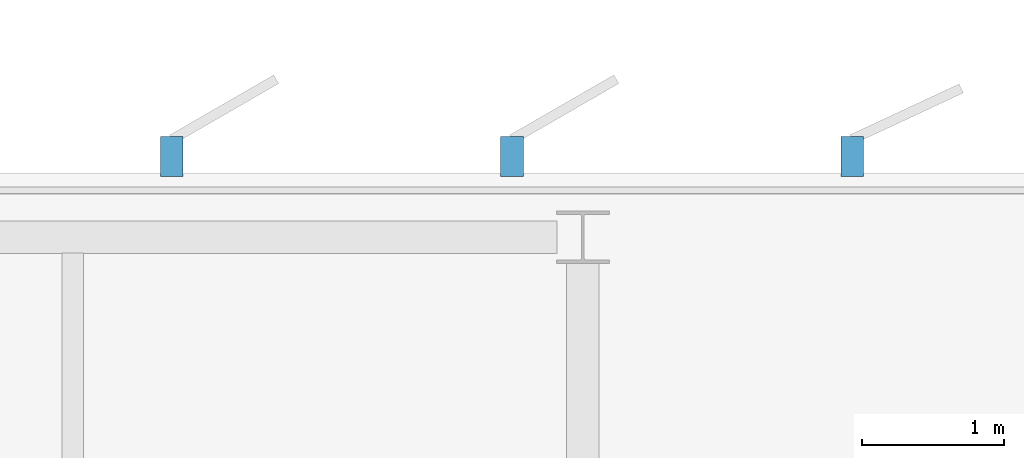
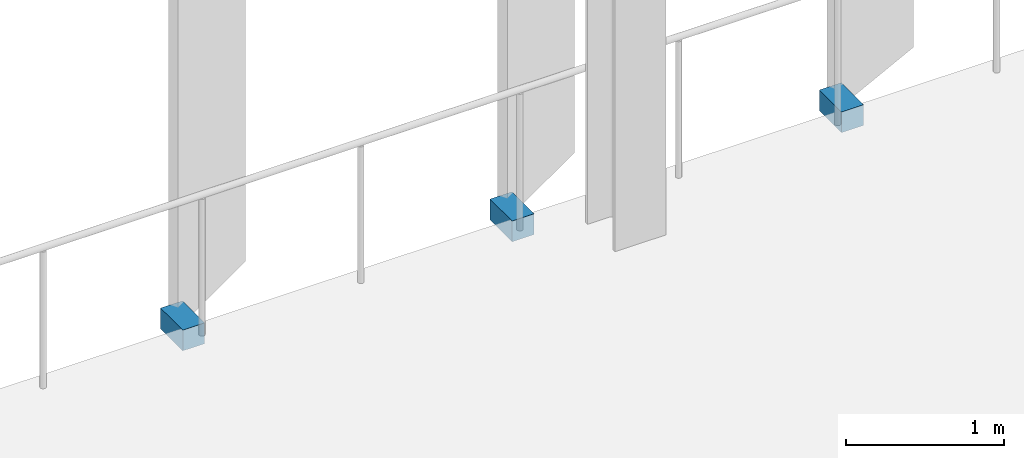
# One storey, part 72 of 93: 3 discrete accessories.
"""IFC4 building model written with IfcOpenShell, lengths in metres."""

from ifc_helpers import new_model, si_unit, direction, frame, origin, origin_2d, place, context, subcontext, project, spatial, rectangle, extrude, material, type_object, element, save


model = new_model("IFC4")

# Units and contexts
model_context = context("Model", 3, precision=1e-05, world=origin(), true_north=direction((0.0, 1.0)))
body_context = subcontext(model_context, "Body", "Model", "MODEL_VIEW")
ifc_project = project(units=[si_unit("LENGTHUNIT", "METRE"), si_unit("AREAUNIT", "SQUARE_METRE"), si_unit("VOLUMEUNIT", "CUBIC_METRE"), si_unit("PLANEANGLEUNIT", "RADIAN"), si_unit("MASSUNIT", "GRAM", prefix="KILO")], contexts=[model_context])

# Site, building, storey
site_placement = place(None, origin())
site = spatial("IfcSite", under=ifc_project, at=site_placement, CompositionType="ELEMENT")
building_placement = place(site_placement, origin())
building = spatial("IfcBuilding", under=site, at=building_placement, Name="Vaelcorin Mobility Hub", CompositionType="ELEMENT")
storey_placement = place(building_placement, frame((0.0, 0.0, 5.39990234375)))
storey = spatial("IfcBuildingStorey", under=building, at=storey_placement, Name="L01", CompositionType="ELEMENT", Elevation=5.39990234375)

# Discrete accessories
ifc_material = material(Name="Galvanised structural steel ASTM A36", Category="steel")
discrete_accessory_type = type_object("IfcDiscreteAccessoryType", Name="ACC-BRK-FIN", PredefinedType="BRACKET", material=ifc_material)
for number, where, z_axis, x_axis, name in (
    (1, (127.89990234375, 120.570068359375, -0.15966796875), (0.0, 0.0, 1.0), (0.0, 1.0, 0.0), "Aerofoil Outrigger Bracket FIN-V2E-L01-N-BK-02"),
    (2, (130.300048828125, 120.570068359375, -0.15966796875), (0.0, 0.0, 1.0), (0.0, 1.0, 0.0), "Aerofoil Outrigger Bracket FIN-V2E-L01-N-BK-03"),
    (3, (132.699951171875, 120.570068359375, -0.15966796875), (0.0, 0.0, 1.0), (0.0, 1.0, 0.0), "Aerofoil Outrigger Bracket FIN-V2E-L01-N-BK-04"),
):
    element("IfcDiscreteAccessory", number, at=place(storey_placement, frame(where, z_axis=z_axis, x_axis=x_axis)), inside=storey, type_object=discrete_accessory_type, Name=name, PredefinedType="BRACKET", context=body_context, shape_type="SweptSolid", body=[
        extrude(rectangle(XDim=0.280029296875, YDim=0.159912109375, at=origin_2d()), origin(), (0.0, 0.0, 1.0), 0.159912109375),
    ])

save(model, "model.ifc")
